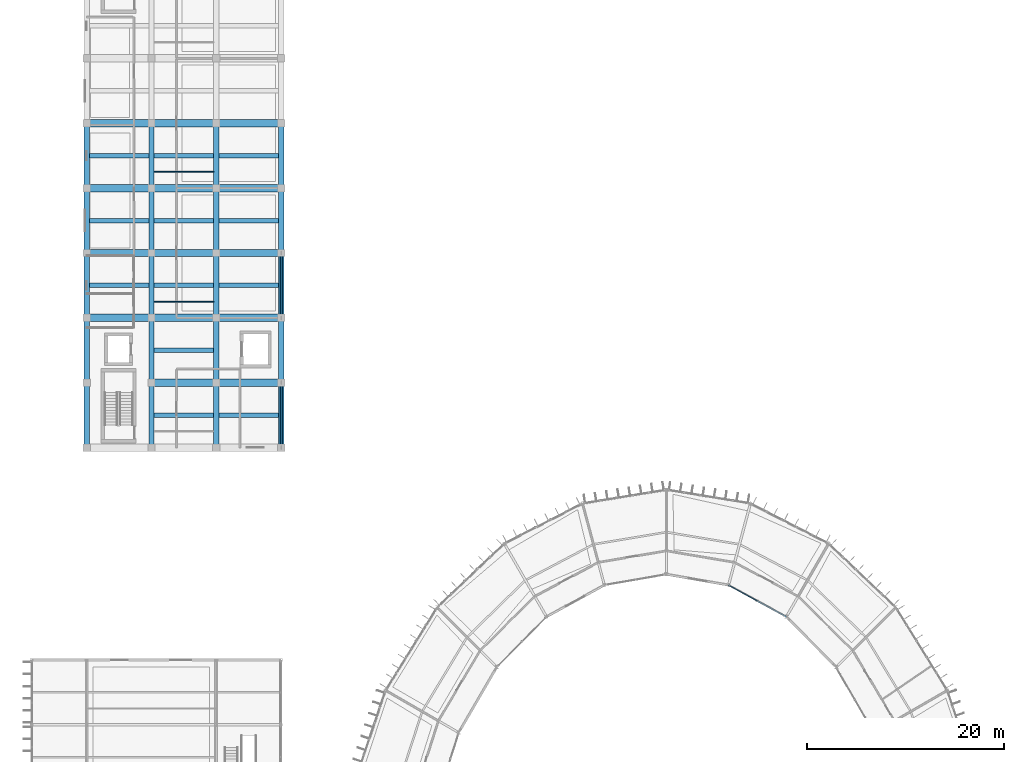
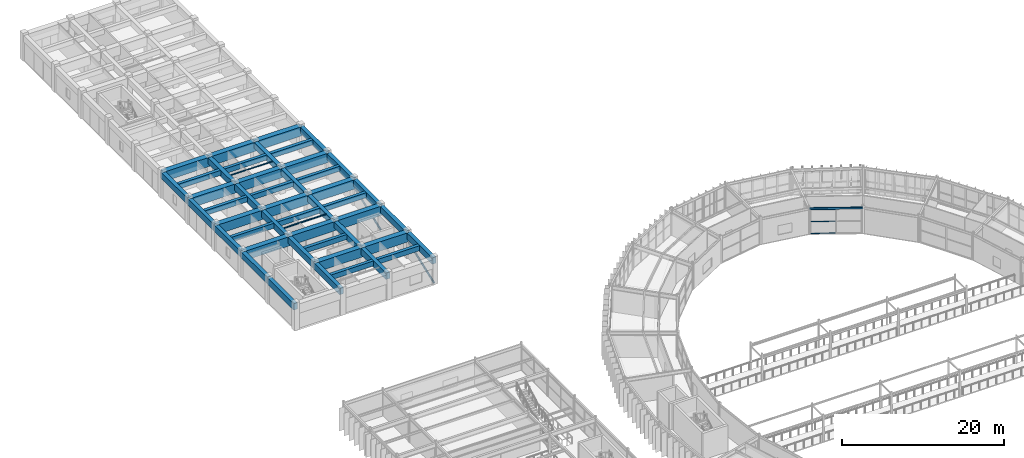
# One storey, part 80 of 148: 49 beams, 5 members, 1 element without a shape of its own.
"""IFC4 building model written with IfcOpenShell, lengths in metres."""

from ifc_helpers import new_model, si_unit, direction, frame, origin, origin_2d, place, context, subcontext, project, spatial, rectangle, hollow_rectangle, hollow_circle, i_section, extrude, material, material_profile, profile_set, type_object, element, aggregate, save


model = new_model("IFC4")

# Units and contexts
model_context = context("Model", 3, precision=1e-05, world=origin(), true_north=direction((0.0, 1.0)))
body_context = subcontext(model_context, "Body", "Model", "MODEL_VIEW")
ifc_project = project(units=[si_unit("LENGTHUNIT", "METRE"), si_unit("AREAUNIT", "SQUARE_METRE"), si_unit("VOLUMEUNIT", "CUBIC_METRE"), si_unit("PLANEANGLEUNIT", "RADIAN"), si_unit("MASSUNIT", "GRAM", prefix="KILO")], contexts=[model_context])

# Site, building, storey
site_placement = place(None, origin())
site = spatial("IfcSite", under=ifc_project, at=site_placement, CompositionType="ELEMENT")
building_placement = place(site_placement, origin())
building = spatial("IfcBuilding", under=site, at=building_placement, Name="Karori Crest Natural Sciences Institute", CompositionType="ELEMENT")
storey_placement = place(building_placement, frame((0.0, 0.0, 4.89990234375)))
storey = spatial("IfcBuildingStorey", under=building, at=storey_placement, Name="L01", CompositionType="ELEMENT", Elevation=4.89990234375)

# Beams
ifc_material_1 = material(Name="Hollow structural steel AS/NZS 1163 Grade C350", Category="steel")
ifc_material_profile_1 = material_profile(ifc_material_1, hollow_rectangle(XDim=0.14990234375, YDim=0.25, WallThickness=0.009033203125, at=origin_2d()), Name="RHS250x150x9")
ifc_profile_set_1 = profile_set([ifc_material_profile_1], Name="Hollow structural steel AS/NZS 1163 Grade C350")
beam_type_1 = type_object("IfcBeamType", Name="BT-16", PredefinedType="SPANDREL", material=ifc_profile_set_1)
beam_1_placement = place(storey_placement, frame((78.60009765625, 77.785888671875, 3.7900390625), z_axis=(-0.877469531616, 0.47963238119, 0.0), x_axis=(-0.47963238119, -0.877469531616, 0.0)))
element("IfcBeam", 1, at=beam_1_placement, inside=storey, type_object=beam_type_1, Name="Beam B-0196", PredefinedType="SPANDREL", context=body_context, shape_type="SweptSolid", body=[
    extrude(hollow_rectangle(XDim=0.14990234375, YDim=0.25, WallThickness=0.009033203125, at=origin_2d()), origin(), (0.0, 0.0, 1.0), 6.706787109375),
])
ifc_material_2 = material(Name="Concrete 50 MPa", Category="concrete")
ifc_material_profile_2 = material_profile(ifc_material_2, rectangle(XDim=0.75, YDim=1.39990234375, at=origin_2d()), Name="RCB750x1400")
ifc_profile_set_2 = profile_set([ifc_material_profile_2], Name="Concrete 50 MPa")
beam_type_2 = type_object("IfcBeamType", Name="BT-17-IL", PredefinedType="BEAM", material=ifc_profile_set_2)
beam_2_placement = place(storey_placement, frame((14.0, 101.60009765625, 3.150146484375), z_axis=(1.0, 0.0, 0.0), x_axis=(0.0, 1.0, 0.0)))
element("IfcBeam", 2, at=beam_2_placement, inside=storey, type_object=beam_type_2, Name="Beam B-1452", PredefinedType="BEAM", context=body_context, shape_type="SweptSolid", body=[
    extrude(rectangle(XDim=0.75, YDim=1.39990234375, at=origin_2d()), origin(), (0.0, 0.0, 1.0), 6.60009765625),
])
beam_3_placement = place(storey_placement, frame((20.60009765625, 101.60009765625, 3.150146484375), z_axis=(1.0, 0.0, 0.0), x_axis=(0.0, 1.0, 0.0)))
element("IfcBeam", 3, at=beam_3_placement, inside=storey, type_object=beam_type_2, Name="Beam B-1453", PredefinedType="BEAM", context=body_context, shape_type="SweptSolid", body=[
    extrude(rectangle(XDim=0.75, YDim=1.39990234375, at=origin_2d()), origin(), (0.0, 0.0, 1.0), 6.599853515625),
])
for number, where, z_axis, x_axis, name in (
    (4, (7.39990234375, 108.199951171875, 3.150146484375), (1.0, 0.0, 0.0), (0.0, 1.0, 0.0), "Beam B-1454"),
    (5, (14.0, 108.199951171875, 3.150146484375), (1.0, 0.0, 0.0), (0.0, 1.0, 0.0), "Beam B-1455"),
):
    element("IfcBeam", number, at=place(storey_placement, frame(where, z_axis=z_axis, x_axis=x_axis)), inside=storey, type_object=beam_type_2, Name=name, PredefinedType="BEAM", context=body_context, shape_type="SweptSolid", body=[
        extrude(rectangle(XDim=0.75, YDim=1.39990234375, at=origin_2d()), origin(), (0.0, 0.0, 1.0), 6.60009765625),
    ])
beam_4_placement = place(storey_placement, frame((20.60009765625, 108.199951171875, 3.150146484375), z_axis=(1.0, 0.0, 0.0), x_axis=(0.0, 1.0, 0.0)))
element("IfcBeam", 6, at=beam_4_placement, inside=storey, type_object=beam_type_2, Name="Beam B-1456", PredefinedType="BEAM", context=body_context, shape_type="SweptSolid", body=[
    extrude(rectangle(XDim=0.75, YDim=1.39990234375, at=origin_2d()), origin(), (0.0, 0.0, 1.0), 6.599853515625),
])
for number, where, z_axis, x_axis, name in (
    (7, (7.39990234375, 114.800048828125, 3.150146484375), (1.0, 0.0, 0.0), (0.0, 1.0, 0.0), "Beam B-1457"),
    (8, (14.0, 114.800048828125, 3.150146484375), (1.0, 0.0, 0.0), (0.0, 1.0, 0.0), "Beam B-1458"),
):
    element("IfcBeam", number, at=place(storey_placement, frame(where, z_axis=z_axis, x_axis=x_axis)), inside=storey, type_object=beam_type_2, Name=name, PredefinedType="BEAM", context=body_context, shape_type="SweptSolid", body=[
        extrude(rectangle(XDim=0.75, YDim=1.39990234375, at=origin_2d()), origin(), (0.0, 0.0, 1.0), 6.60009765625),
    ])
beam_5_placement = place(storey_placement, frame((20.60009765625, 114.800048828125, 3.150146484375), z_axis=(1.0, 0.0, 0.0), x_axis=(0.0, 1.0, 0.0)))
element("IfcBeam", 9, at=beam_5_placement, inside=storey, type_object=beam_type_2, Name="Beam B-1459", PredefinedType="BEAM", context=body_context, shape_type="SweptSolid", body=[
    extrude(rectangle(XDim=0.75, YDim=1.39990234375, at=origin_2d()), origin(), (0.0, 0.0, 1.0), 6.599853515625),
])
for number, where, z_axis, x_axis, name in (
    (10, (7.39990234375, 121.39990234375, 3.150146484375), (1.0, 0.0, 0.0), (0.0, 1.0, 0.0), "Beam B-1460"),
    (11, (14.0, 121.39990234375, 3.150146484375), (1.0, 0.0, 0.0), (0.0, 1.0, 0.0), "Beam B-1461"),
):
    element("IfcBeam", number, at=place(storey_placement, frame(where, z_axis=z_axis, x_axis=x_axis)), inside=storey, type_object=beam_type_2, Name=name, PredefinedType="BEAM", context=body_context, shape_type="SweptSolid", body=[
        extrude(rectangle(XDim=0.75, YDim=1.39990234375, at=origin_2d()), origin(), (0.0, 0.0, 1.0), 6.60009765625),
    ])
beam_6_placement = place(storey_placement, frame((20.60009765625, 121.39990234375, 3.150146484375), z_axis=(1.0, 0.0, 0.0), x_axis=(0.0, 1.0, 0.0)))
element("IfcBeam", 12, at=beam_6_placement, inside=storey, type_object=beam_type_2, Name="Beam B-1462", PredefinedType="BEAM", context=body_context, shape_type="SweptSolid", body=[
    extrude(rectangle(XDim=0.75, YDim=1.39990234375, at=origin_2d()), origin(), (0.0, 0.0, 1.0), 6.599853515625),
])
for number, where, z_axis, x_axis, name in (
    (13, (7.39990234375, 128.0, 3.150146484375), (1.0, 0.0, 0.0), (0.0, 1.0, 0.0), "Beam B-1463"),
    (14, (14.0, 128.0, 3.150146484375), (1.0, 0.0, 0.0), (0.0, 1.0, 0.0), "Beam B-1464"),
):
    element("IfcBeam", number, at=place(storey_placement, frame(where, z_axis=z_axis, x_axis=x_axis)), inside=storey, type_object=beam_type_2, Name=name, PredefinedType="BEAM", context=body_context, shape_type="SweptSolid", body=[
        extrude(rectangle(XDim=0.75, YDim=1.39990234375, at=origin_2d()), origin(), (0.0, 0.0, 1.0), 6.60009765625),
    ])
beam_7_placement = place(storey_placement, frame((20.60009765625, 128.0, 3.150146484375), z_axis=(1.0, 0.0, 0.0), x_axis=(0.0, 1.0, 0.0)))
element("IfcBeam", 15, at=beam_7_placement, inside=storey, type_object=beam_type_2, Name="Beam B-1465", PredefinedType="BEAM", context=body_context, shape_type="SweptSolid", body=[
    extrude(rectangle(XDim=0.75, YDim=1.39990234375, at=origin_2d()), origin(), (0.0, 0.0, 1.0), 6.599853515625),
])
ifc_material_3 = material(Name="Structural steel AS/NZS 3679.1 Grade 350", Category="steel")
ifc_material_profile_3 = material_profile(ifc_material_3, i_section(OverallWidth=0.090087890625, OverallDepth=0.175048828125, WebThickness=0.0048828125, FlangeThickness=0.008056640625, FilletRadius=0.009033203125, at=origin_2d()), Name="180UB18.1")
ifc_profile_set_3 = profile_set([ifc_material_profile_3], Name="Structural steel AS/NZS 3679.1 Grade 350")
beam_type_3 = type_object("IfcBeamType", Name="BT-31", PredefinedType="LINTEL", material=ifc_profile_set_3)
beam_8_placement = place(storey_placement, frame((14.27490234375, 123.050048828125, 3.7626953125), z_axis=(1.0, 0.0, 0.0), x_axis=(0.0, 1.0, 0.0)))
element("IfcBeam", 16, at=beam_8_placement, inside=storey, type_object=beam_type_3, Name="Beam B-1534", PredefinedType="LINTEL", context=body_context, shape_type="SweptSolid", body=[
    extrude(i_section(OverallWidth=0.090087890625, OverallDepth=0.175048828125, WebThickness=0.0048828125, FlangeThickness=0.008056640625, FilletRadius=0.009033203125, at=origin_2d()), origin(), (0.0, 0.0, 1.0), 6.050048828125),
])
ifc_material_profile_4 = material_profile(ifc_material_3, i_section(OverallWidth=0.074951171875, OverallDepth=0.14990234375, WebThickness=0.0048828125, FlangeThickness=0.007080078125, FilletRadius=0.008056640625, at=origin_2d()), Name="150UB14.0")
ifc_profile_set_4 = profile_set([ifc_material_profile_4], Name="Structural steel AS/NZS 3679.1 Grade 350")
beam_type_4 = type_object("IfcBeamType", Name="BT-32", PredefinedType="LINTEL", material=ifc_profile_set_4)
beam_9_placement = place(storey_placement, frame((14.27490234375, 109.85009765625, 3.775146484375), z_axis=(1.0, 0.0, 0.0), x_axis=(0.0, 1.0, 0.0)))
element("IfcBeam", 17, at=beam_9_placement, inside=storey, type_object=beam_type_4, Name="Beam B-1531", PredefinedType="LINTEL", context=body_context, shape_type="SweptSolid", body=[
    extrude(i_section(OverallWidth=0.074951171875, OverallDepth=0.14990234375, WebThickness=0.0048828125, FlangeThickness=0.007080078125, FilletRadius=0.008056640625, at=origin_2d()), origin(), (0.0, 0.0, 1.0), 6.050048828125),
])
ifc_material_profile_5 = material_profile(ifc_material_2, rectangle(XDim=0.550048828125, YDim=0.949951171875, at=origin_2d()), Name="RCB550x950")
ifc_profile_set_5 = profile_set([ifc_material_profile_5], Name="Concrete 50 MPa")
beam_type_5 = type_object("IfcBeamType", Name="BT-34", PredefinedType="BEAM", material=ifc_profile_set_5)
beam_10_placement = place(storey_placement, frame((7.39990234375, 95.0, 3.375), z_axis=(0.0, 1.0, 0.0), x_axis=(-1.0, 0.0, 0.0)))
element("IfcBeam", 18, at=beam_10_placement, inside=storey, type_object=beam_type_5, Name="Beam B-1480", PredefinedType="BEAM", context=body_context, shape_type="SweptSolid", body=[
    extrude(rectangle(XDim=0.550048828125, YDim=0.949951171875, at=origin_2d()), origin(), (0.0, 0.0, 1.0), 6.60009765625),
])
beam_11_placement = place(storey_placement, frame((7.39990234375, 101.60009765625, 3.375), z_axis=(0.0, 1.0, 0.0), x_axis=(-1.0, 0.0, 0.0)))
element("IfcBeam", 19, at=beam_11_placement, inside=storey, type_object=beam_type_5, Name="Beam B-1481", PredefinedType="BEAM", context=body_context, shape_type="SweptSolid", body=[
    extrude(rectangle(XDim=0.550048828125, YDim=0.949951171875, at=origin_2d()), origin(), (0.0, 0.0, 1.0), 6.599853515625),
])
beam_12_placement = place(storey_placement, frame((7.39990234375, 108.199951171875, 3.375), z_axis=(0.0, 1.0, 0.0), x_axis=(-1.0, 0.0, 0.0)))
element("IfcBeam", 20, at=beam_12_placement, inside=storey, type_object=beam_type_5, Name="Beam B-1482", PredefinedType="BEAM", context=body_context, shape_type="SweptSolid", body=[
    extrude(rectangle(XDim=0.550048828125, YDim=0.949951171875, at=origin_2d()), origin(), (0.0, 0.0, 1.0), 6.60009765625),
])
beam_13_placement = place(storey_placement, frame((7.39990234375, 114.800048828125, 3.375), z_axis=(0.0, 1.0, 0.0), x_axis=(-1.0, 0.0, 0.0)))
element("IfcBeam", 21, at=beam_13_placement, inside=storey, type_object=beam_type_5, Name="Beam B-1483", PredefinedType="BEAM", context=body_context, shape_type="SweptSolid", body=[
    extrude(rectangle(XDim=0.550048828125, YDim=0.949951171875, at=origin_2d()), origin(), (0.0, 0.0, 1.0), 6.599853515625),
])
for number, where, z_axis, x_axis, name in (
    (22, (7.39990234375, 121.39990234375, 3.375), (0.0, 1.0, 0.0), (-1.0, 0.0, 0.0), "Beam B-1484"),
    (23, (27.199951171875, 95.0, 3.375), (0.0, 1.0, 0.0), (-1.0, 0.0, 0.0), "Beam B-1510"),
):
    element("IfcBeam", number, at=place(storey_placement, frame(where, z_axis=z_axis, x_axis=x_axis)), inside=storey, type_object=beam_type_5, Name=name, PredefinedType="BEAM", context=body_context, shape_type="SweptSolid", body=[
        extrude(rectangle(XDim=0.550048828125, YDim=0.949951171875, at=origin_2d()), origin(), (0.0, 0.0, 1.0), 6.60009765625),
    ])
beam_14_placement = place(storey_placement, frame((27.199951171875, 101.60009765625, 3.375), z_axis=(0.0, 1.0, 0.0), x_axis=(-1.0, 0.0, 0.0)))
element("IfcBeam", 24, at=beam_14_placement, inside=storey, type_object=beam_type_5, Name="Beam B-1511", PredefinedType="BEAM", context=body_context, shape_type="SweptSolid", body=[
    extrude(rectangle(XDim=0.550048828125, YDim=0.949951171875, at=origin_2d()), origin(), (0.0, 0.0, 1.0), 6.599853515625),
])
beam_15_placement = place(storey_placement, frame((27.199951171875, 108.199951171875, 3.375), z_axis=(0.0, 1.0, 0.0), x_axis=(-1.0, 0.0, 0.0)))
element("IfcBeam", 25, at=beam_15_placement, inside=storey, type_object=beam_type_5, Name="Beam B-1512", PredefinedType="BEAM", context=body_context, shape_type="SweptSolid", body=[
    extrude(rectangle(XDim=0.550048828125, YDim=0.949951171875, at=origin_2d()), origin(), (0.0, 0.0, 1.0), 6.60009765625),
])
beam_16_placement = place(storey_placement, frame((27.199951171875, 114.800048828125, 3.375), z_axis=(0.0, 1.0, 0.0), x_axis=(-1.0, 0.0, 0.0)))
element("IfcBeam", 26, at=beam_16_placement, inside=storey, type_object=beam_type_5, Name="Beam B-1513", PredefinedType="BEAM", context=body_context, shape_type="SweptSolid", body=[
    extrude(rectangle(XDim=0.550048828125, YDim=0.949951171875, at=origin_2d()), origin(), (0.0, 0.0, 1.0), 6.599853515625),
])
beam_17_placement = place(storey_placement, frame((27.199951171875, 121.39990234375, 3.375), z_axis=(0.0, 1.0, 0.0), x_axis=(-1.0, 0.0, 0.0)))
element("IfcBeam", 27, at=beam_17_placement, inside=storey, type_object=beam_type_5, Name="Beam B-1514", PredefinedType="BEAM", context=body_context, shape_type="SweptSolid", body=[
    extrude(rectangle(XDim=0.550048828125, YDim=0.949951171875, at=origin_2d()), origin(), (0.0, 0.0, 1.0), 6.60009765625),
])
ifc_material_profile_6 = material_profile(ifc_material_2, rectangle(XDim=0.550048828125, YDim=0.949951171875, at=origin_2d()), Name="RCB550x950")
ifc_profile_set_6 = profile_set([ifc_material_profile_6], Name="Concrete 50 MPa")
beam_type_6 = type_object("IfcBeamType", Name="BT-34-IL", PredefinedType="BEAM", material=ifc_profile_set_6)
beam_18_placement = place(storey_placement, frame((14.0, 95.0, 3.375), z_axis=(0.0, 1.0, 0.0), x_axis=(-1.0, 0.0, 0.0)))
element("IfcBeam", 28, at=beam_18_placement, inside=storey, type_object=beam_type_6, Name="Beam B-1490", PredefinedType="BEAM", context=body_context, shape_type="SweptSolid", body=[
    extrude(rectangle(XDim=0.550048828125, YDim=0.949951171875, at=origin_2d()), origin(), (0.0, 0.0, 1.0), 6.60009765625),
])
beam_19_placement = place(storey_placement, frame((14.0, 101.60009765625, 3.375), z_axis=(0.0, 1.0, 0.0), x_axis=(-1.0, 0.0, 0.0)))
element("IfcBeam", 29, at=beam_19_placement, inside=storey, type_object=beam_type_6, Name="Beam B-1491", PredefinedType="BEAM", context=body_context, shape_type="SweptSolid", body=[
    extrude(rectangle(XDim=0.550048828125, YDim=0.949951171875, at=origin_2d()), origin(), (0.0, 0.0, 1.0), 6.599853515625),
])
beam_20_placement = place(storey_placement, frame((14.0, 108.199951171875, 3.375), z_axis=(0.0, 1.0, 0.0), x_axis=(-1.0, 0.0, 0.0)))
element("IfcBeam", 30, at=beam_20_placement, inside=storey, type_object=beam_type_6, Name="Beam B-1492", PredefinedType="BEAM", context=body_context, shape_type="SweptSolid", body=[
    extrude(rectangle(XDim=0.550048828125, YDim=0.949951171875, at=origin_2d()), origin(), (0.0, 0.0, 1.0), 6.60009765625),
])
beam_21_placement = place(storey_placement, frame((14.0, 114.800048828125, 3.375), z_axis=(0.0, 1.0, 0.0), x_axis=(-1.0, 0.0, 0.0)))
element("IfcBeam", 31, at=beam_21_placement, inside=storey, type_object=beam_type_6, Name="Beam B-1493", PredefinedType="BEAM", context=body_context, shape_type="SweptSolid", body=[
    extrude(rectangle(XDim=0.550048828125, YDim=0.949951171875, at=origin_2d()), origin(), (0.0, 0.0, 1.0), 6.599853515625),
])
for number, where, z_axis, x_axis, name in (
    (32, (14.0, 121.39990234375, 3.375), (0.0, 1.0, 0.0), (-1.0, 0.0, 0.0), "Beam B-1494"),
    (33, (20.60009765625, 95.0, 3.375), (0.0, 1.0, 0.0), (-1.0, 0.0, 0.0), "Beam B-1500"),
):
    element("IfcBeam", number, at=place(storey_placement, frame(where, z_axis=z_axis, x_axis=x_axis)), inside=storey, type_object=beam_type_6, Name=name, PredefinedType="BEAM", context=body_context, shape_type="SweptSolid", body=[
        extrude(rectangle(XDim=0.550048828125, YDim=0.949951171875, at=origin_2d()), origin(), (0.0, 0.0, 1.0), 6.60009765625),
    ])
beam_22_placement = place(storey_placement, frame((20.60009765625, 101.60009765625, 3.375), z_axis=(0.0, 1.0, 0.0), x_axis=(-1.0, 0.0, 0.0)))
element("IfcBeam", 34, at=beam_22_placement, inside=storey, type_object=beam_type_6, Name="Beam B-1501", PredefinedType="BEAM", context=body_context, shape_type="SweptSolid", body=[
    extrude(rectangle(XDim=0.550048828125, YDim=0.949951171875, at=origin_2d()), origin(), (0.0, 0.0, 1.0), 6.599853515625),
])
beam_23_placement = place(storey_placement, frame((20.60009765625, 108.199951171875, 3.375), z_axis=(0.0, 1.0, 0.0), x_axis=(-1.0, 0.0, 0.0)))
element("IfcBeam", 35, at=beam_23_placement, inside=storey, type_object=beam_type_6, Name="Beam B-1502", PredefinedType="BEAM", context=body_context, shape_type="SweptSolid", body=[
    extrude(rectangle(XDim=0.550048828125, YDim=0.949951171875, at=origin_2d()), origin(), (0.0, 0.0, 1.0), 6.60009765625),
])
beam_24_placement = place(storey_placement, frame((20.60009765625, 114.800048828125, 3.375), z_axis=(0.0, 1.0, 0.0), x_axis=(-1.0, 0.0, 0.0)))
element("IfcBeam", 36, at=beam_24_placement, inside=storey, type_object=beam_type_6, Name="Beam B-1503", PredefinedType="BEAM", context=body_context, shape_type="SweptSolid", body=[
    extrude(rectangle(XDim=0.550048828125, YDim=0.949951171875, at=origin_2d()), origin(), (0.0, 0.0, 1.0), 6.599853515625),
])
beam_25_placement = place(storey_placement, frame((20.60009765625, 121.39990234375, 3.375), z_axis=(0.0, 1.0, 0.0), x_axis=(-1.0, 0.0, 0.0)))
element("IfcBeam", 37, at=beam_25_placement, inside=storey, type_object=beam_type_6, Name="Beam B-1504", PredefinedType="BEAM", context=body_context, shape_type="SweptSolid", body=[
    extrude(rectangle(XDim=0.550048828125, YDim=0.949951171875, at=origin_2d()), origin(), (0.0, 0.0, 1.0), 6.60009765625),
])
ifc_material_profile_7 = material_profile(ifc_material_2, rectangle(XDim=0.449951171875, YDim=0.75, at=origin_2d()), Name="RCB450x750")
ifc_profile_set_7 = profile_set([ifc_material_profile_7], Name="Concrete 50 MPa")
beam_type_7 = type_object("IfcBeamType", Name="BT-35", PredefinedType="BEAM", material=ifc_profile_set_7)
for number, where, z_axis, x_axis, name in (
    (38, (7.675048828125, 111.5, 3.47509765625), (1.0, 0.0, 0.0), (0.0, 1.0, 0.0), "Beam B-1520"),
    (39, (7.675048828125, 118.10009765625, 3.47509765625), (1.0, 0.0, 0.0), (0.0, 1.0, 0.0), "Beam B-1521"),
    (40, (7.675048828125, 124.699951171875, 3.47509765625), (1.0, 0.0, 0.0), (0.0, 1.0, 0.0), "Beam B-1522"),
    (41, (14.27490234375, 98.300048828125, 3.47509765625), (1.0, 0.0, 0.0), (0.0, 1.0, 0.0), "Beam B-1527"),
    (42, (14.27490234375, 104.89990234375, 3.47509765625), (1.0, 0.0, 0.0), (0.0, 1.0, 0.0), "Beam B-1529"),
    (43, (14.27490234375, 111.5, 3.47509765625), (1.0, 0.0, 0.0), (0.0, 1.0, 0.0), "Beam B-1530"),
    (44, (14.27490234375, 118.10009765625, 3.47509765625), (1.0, 0.0, 0.0), (0.0, 1.0, 0.0), "Beam B-1532"),
    (45, (14.27490234375, 124.699951171875, 3.47509765625), (1.0, 0.0, 0.0), (0.0, 1.0, 0.0), "Beam B-1533"),
    (46, (20.875, 98.300048828125, 3.47509765625), (1.0, 0.0, 0.0), (0.0, 1.0, 0.0), "Beam B-1542"),
    (47, (20.875, 111.5, 3.47509765625), (1.0, 0.0, 0.0), (0.0, 1.0, 0.0), "Beam B-1543"),
    (48, (20.875, 118.10009765625, 3.47509765625), (1.0, 0.0, 0.0), (0.0, 1.0, 0.0), "Beam B-1544"),
    (49, (20.875, 124.699951171875, 3.47509765625), (1.0, 0.0, 0.0), (0.0, 1.0, 0.0), "Beam B-1545"),
):
    element("IfcBeam", number, at=place(storey_placement, frame(where, z_axis=z_axis, x_axis=x_axis)), inside=storey, type_object=beam_type_7, Name=name, PredefinedType="BEAM", context=body_context, shape_type="SweptSolid", body=[
        extrude(rectangle(XDim=0.449951171875, YDim=0.75, at=origin_2d()), origin(), (0.0, 0.0, 1.0), 6.050048828125),
    ])

# Curtain wall, members
ifc_material_4 = material(Name="Anodised architectural aluminium 6063-T6", Category="aluminium")
curtain_wall_type = type_object("IfcCurtainWallType", Name="CWT-15", PredefinedType="NOTDEFINED", material=ifc_material_4)
curtain_wall_placement = place(storey_placement, origin())
curtain_wall = element("IfcCurtainWall", 50, at=curtain_wall_placement, inside=storey, type_object=curtain_wall_type, Name="Curtain wall CW-0037", PredefinedType="NOTDEFINED")
ifc_material_profile_8 = material_profile(ifc_material_4, hollow_rectangle(XDim=0.06005859375, YDim=0.1201171875, WallThickness=0.00390625, at=origin_2d()), Name="CWT120x60x4")
ifc_profile_set_8 = profile_set([ifc_material_profile_8], Name="Anodised architectural aluminium 6063-T6")
member_type_1 = type_object("IfcMemberType", Name="CWT-TR1", PredefinedType="USERDEFINED", material=ifc_profile_set_8)
member_1_placement = place(storey_placement, frame((75.61279296875, 79.4189453125, 0.030029296875), z_axis=(-0.877462212151, 0.479645771635, 0.0), x_axis=(-0.479645771635, -0.877462212151, 0.0)))
member_1 = element("IfcMember", 51, at=member_1_placement, type_object=member_type_1, Name="CW-0037 transom 2.1", ObjectType="TRANSOM", PredefinedType="USERDEFINED", context=body_context, shape_type="SweptSolid", body=[
    extrude(hollow_rectangle(XDim=0.06005859375, YDim=0.1201171875, WallThickness=0.00390625, at=origin_2d()), origin(), (0.0, 0.0, 1.0), 3.102783203125),
])
member_2_placement = place(storey_placement, frame((75.61279296875, 79.4189453125, 1.8251953125), z_axis=(-0.877462212151, 0.479645771635, 0.0), x_axis=(-0.479645771635, -0.877462212151, 0.0)))
member_2 = element("IfcMember", 52, at=member_2_placement, type_object=member_type_1, Name="CW-0037 transom 2.2", ObjectType="TRANSOM", PredefinedType="USERDEFINED", context=body_context, shape_type="SweptSolid", body=[
    extrude(hollow_rectangle(XDim=0.06005859375, YDim=0.1201171875, WallThickness=0.00390625, at=origin_2d()), origin(), (0.0, 0.0, 1.0), 3.102783203125),
])
member_3_placement = place(storey_placement, frame((75.61279296875, 79.4189453125, 3.6201171875), z_axis=(-0.877462212151, 0.479645771635, 0.0), x_axis=(-0.479645771635, -0.877462212151, 0.0)))
member_3 = element("IfcMember", 53, at=member_3_placement, type_object=member_type_1, Name="CW-0037 transom 2.3", ObjectType="TRANSOM", PredefinedType="USERDEFINED", context=body_context, shape_type="SweptSolid", body=[
    extrude(hollow_rectangle(XDim=0.06005859375, YDim=0.1201171875, WallThickness=0.00390625, at=origin_2d()), origin(), (0.0, 0.0, 1.0), 3.102783203125),
])
aggregate(curtain_wall, [member_1, member_2, member_3])

# Members
ifc_material_profile_9 = material_profile(ifc_material_1, hollow_circle(Radius=0.136474609375, WallThickness=0.00927734375, at=origin_2d()), Name="CHS273.0x9.3")
ifc_profile_set_9 = profile_set([ifc_material_profile_9], Name="Hollow structural steel AS/NZS 1163 Grade C350")
member_type_2 = type_object("IfcMemberType", Name="MT-01-EL", PredefinedType="BRACE", material=ifc_profile_set_9)
for number, where, z_axis, x_axis, name in (
    (54, (27.199951171875, 95.0, 0.010009765625), (0.0, 0.937484116626, 0.348028060755), (-1.0, 0.0, 0.0), "Diagonal Brace M-0428"),
    (55, (27.199951171875, 108.199951171875, 0.010009765625), (0.0, 0.937484116626, 0.348028060755), (-1.0, 0.0, 0.0), "Diagonal Brace M-0429"),
):
    element("IfcMember", number, at=place(storey_placement, frame(where, z_axis=z_axis, x_axis=x_axis)), inside=storey, type_object=member_type_2, Name=name, PredefinedType="BRACE", context=body_context, shape_type="SweptSolid", body=[
        extrude(hollow_circle(Radius=0.136474609375, WallThickness=0.00927734375, at=origin_2d()), origin(), (0.0, 0.0, 1.0), 7.040283203125),
    ])

save(model, "model.ifc")
